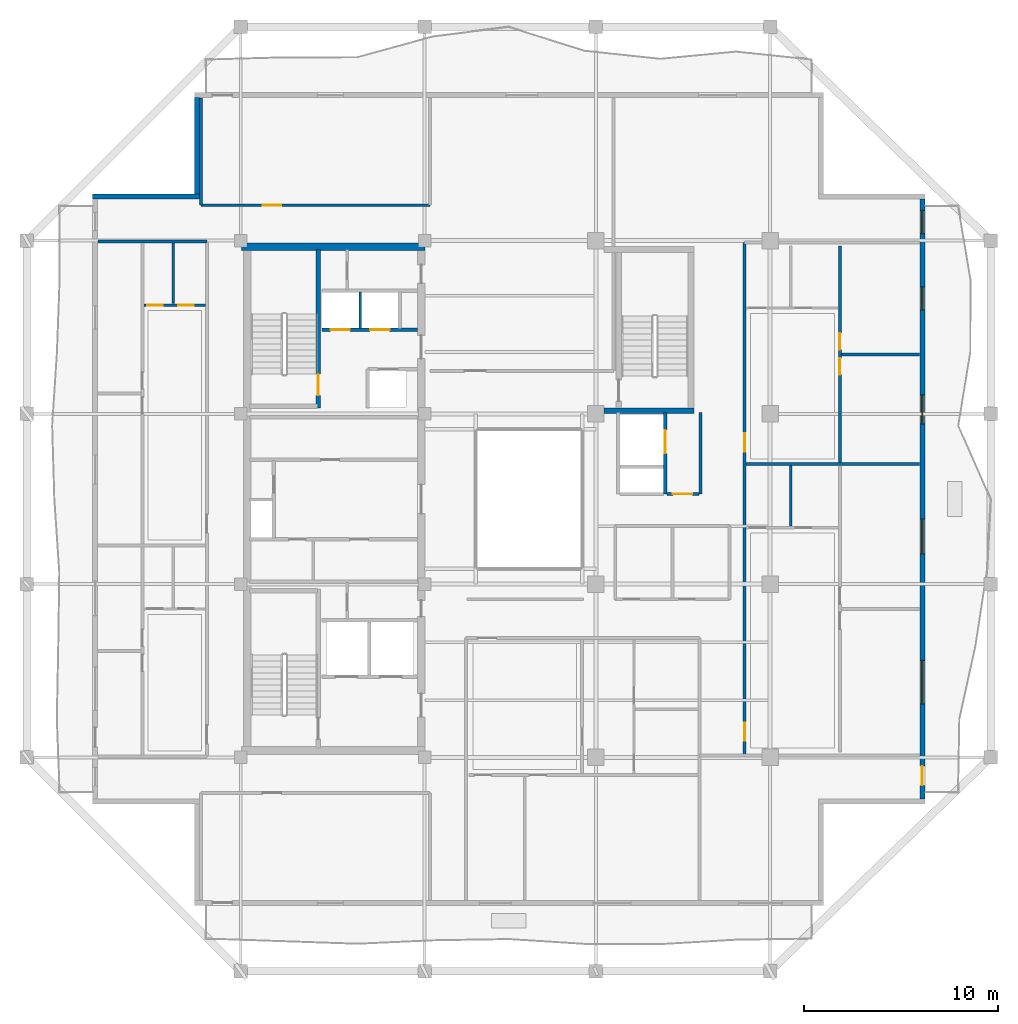
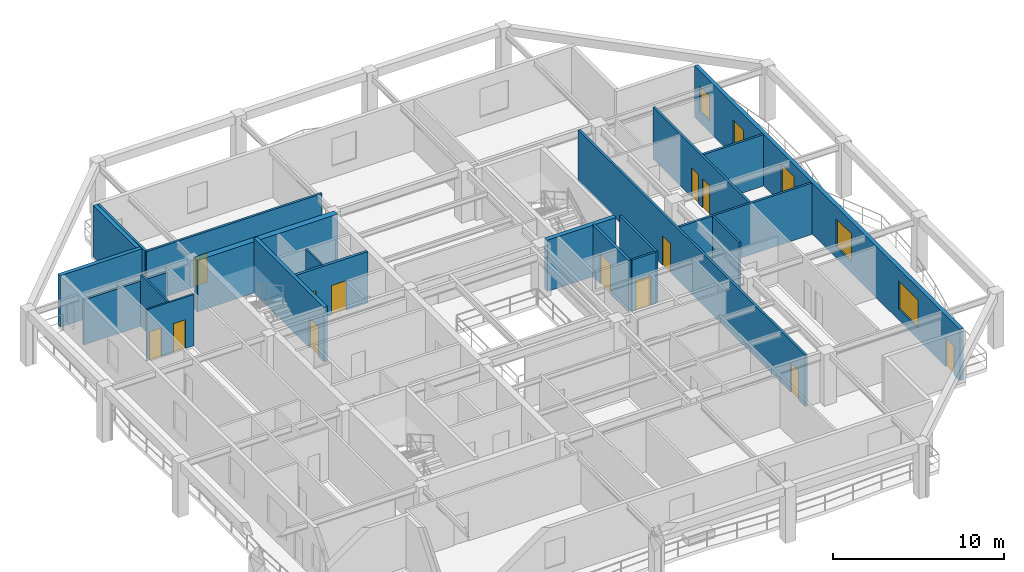
# One storey, part 5 of 12: 21 walls, 13 doors, 5 windows, 18 openings.
"""IFC4 building model written with IfcOpenShell, lengths in metres."""

from ifc_helpers import new_model, si_unit, direction, frame, frame_2d, origin, place, context, subcontext, project, spatial, rectangle, extrude, material, layer, layer_set, type_object, element, fill, save


model = new_model("IFC4")

# Units and contexts
model_context = context("Model", 3, precision=1e-05, world=origin(), true_north=direction((0.0, 1.0)))
body_context = subcontext(model_context, "Body", "Model", "MODEL_VIEW")
ifc_project = project(units=[si_unit("LENGTHUNIT", "METRE"), si_unit("AREAUNIT", "SQUARE_METRE"), si_unit("VOLUMEUNIT", "CUBIC_METRE"), si_unit("PLANEANGLEUNIT", "RADIAN"), si_unit("MASSUNIT", "GRAM", prefix="KILO")], contexts=[model_context])

# Site, building, storey
site_placement = place(None, origin())
site = spatial("IfcSite", under=ifc_project, at=site_placement, CompositionType="ELEMENT")
building_placement = place(site_placement, origin())
building = spatial("IfcBuilding", under=site, at=building_placement, Name="Kundavana Baori Tower", CompositionType="ELEMENT")
storey_placement = place(building_placement, frame((0.0, 0.0, 241.39990234375)))
storey = spatial("IfcBuildingStorey", under=building, at=storey_placement, Name="L59", CompositionType="ELEMENT", Elevation=241.39990234375)

# Wall
ifc_material_1 = material(Name="Concrete C50/60", Category="concrete")
ifc_layer_1 = layer(ifc_material_1, 0.39990234375, Name="WL-CORE-400")
ifc_layer_set_1 = layer_set([ifc_layer_1], Name="Concrete C50/60")
wall_type_1 = type_object("IfcWallType", Name="WL-CORE-400", PredefinedType="SHEAR", material=ifc_layer_set_1)
wall_1_placement = place(storey_placement, frame((15.5, 41.639892578125, 0.0), z_axis=(0.0, 0.0, 1.0), x_axis=(1.0, 0.0, 0.0)))
element("IfcWall", 1, at=wall_1_placement, inside=storey, type_object=wall_type_1, Name="L59 Offset Core North Shear Wall", PredefinedType="SHEAR", context=body_context, shape_type="SweptSolid", body=[
    extrude(rectangle(XDim=9.47998046875, YDim=0.39990234375, at=frame_2d((4.739990234375, 0.0))), origin(), (0.0, 0.0, 1.0), 3.66015625),
])

# Wall, opening, door
wall_2_placement = place(storey_placement, frame((19.4599609375, 33.300048828125, 0.0), z_axis=(0.0, 0.0, 1.0), x_axis=(0.0, 1.0, 0.0)))
wall_2 = element("IfcWall", 2, at=wall_2_placement, inside=storey, type_object=wall_type_1, Name="WL-L59-ST2-E", PredefinedType="SHEAR", context=body_context, shape_type="SweptSolid", body=[
    extrude(rectangle(XDim=8.179931640625, YDim=0.239990234375, at=frame_2d((4.08984375, 0.0))), origin(), (0.0, 0.0, 1.0), 3.900146484375),
])
opening_1_placement = place(wall_2_placement, frame((0.64990234375, 0.0, 0.0)))
opening_1 = element("IfcOpeningElement", 3, at=opening_1_placement, cuts=wall_2, Name="Opening FD-110", PredefinedType="OPENING", context=body_context, shape_type="SweptSolid", body=[
    extrude(rectangle(XDim=1.10009765625, YDim=2.10009765625, at=frame_2d((0.550048828125, 1.050048828125))), frame((0.0, 0.1298828125, 0.0), z_axis=(0.0, -1.0, 0.0), x_axis=(1.0, 0.0, 0.0)), (0.0, 0.0, 1.0), 0.260009765625),
])
ifc_material_2 = material(Name="Galvanised Steel Fire-Rated Door Leaf", Category="steel")
door_type_1 = type_object("IfcDoorType", Name="DR-FD120-1100", OperationType="NOTDEFINED", PredefinedType="DOOR", material=ifc_material_2)
door_1_placement = place(opening_1_placement, origin())
door_1 = element("IfcDoor", 4, at=door_1_placement, inside=storey, type_object=door_type_1, Name="DR-L59-ST2", OperationType="SINGLE_SWING_RIGHT", OverallHeight=2.10009765625, OverallWidth=1.10009765625, PredefinedType="DOOR", context=body_context, shape_type="SweptSolid", body=[
    extrude(rectangle(XDim=1.10009765625, YDim=2.10009765625, at=frame_2d((0.550048828125, 1.050048828125))), frame((0.0, 0.02490234375, 0.0), z_axis=(0.0, -1.0, 0.0), x_axis=(1.0, 0.0, 0.0)), (0.0, 0.0, 1.0), 0.050048828125),
])
fill(opening_1, door_1)

# Wall, openings, door, windows
ifc_material_3 = material(Name="Kiln-Fired Terracotta Brick-Slip Masonry on Concrete C40/50", Category="masonry")
ifc_layer_2 = layer(ifc_material_3, 0.260009765625, Name="WL-EXT-BRK-260")
ifc_layer_set_2 = layer_set([ifc_layer_2], Name="Kiln-Fired Terracotta Brick-Slip Masonry on Concrete C40/50")
wall_type_2 = type_object("IfcWallType", Name="WL-EXT-BRK-260", PredefinedType="SOLIDWALL", material=ifc_layer_set_2)
wall_3_placement = place(storey_placement, frame((50.669921875, 13.110107421875, 0.0), z_axis=(0.0, 0.0, 1.0), x_axis=(0.0, 1.0, 0.0)))
wall_3 = element("IfcWall", 5, at=wall_3_placement, inside=storey, type_object=wall_type_2, Name="L59 Exterior Insulated Facade Wall 04", PredefinedType="SOLIDWALL", context=body_context, shape_type="SweptSolid", body=[
    extrude(rectangle(XDim=30.97998046875, YDim=0.260009765625, at=frame_2d((15.489990234375, 0.0))), origin(), (0.0, 0.0, 1.0), 3.66015625),
])
opening_2_placement = place(wall_3_placement, frame((0.68994140625, 0.0, 0.0)))
opening_2 = element("IfcOpeningElement", 6, at=opening_2_placement, cuts=wall_3, Name="Opening BD-1", PredefinedType="OPENING", context=body_context, shape_type="SweptSolid", body=[
    extrude(rectangle(XDim=1.0, YDim=2.050048828125, at=frame_2d((0.5, 1.02490234375))), frame((0.0, 0.14013671875, 0.0), z_axis=(0.0, -1.0, 0.0), x_axis=(1.0, 0.0, 0.0)), (0.0, 0.0, 1.0), 0.280029296875),
])
opening_3_placement = place(wall_3_placement, frame((4.902099609375, 0.0, 0.800048828125)))
opening_3 = element("IfcOpeningElement", 7, at=opening_3_placement, cuts=wall_3, Name="Opening W-10", PredefinedType="OPENING", context=body_context, shape_type="SweptSolid", body=[
    extrude(rectangle(XDim=2.25, YDim=2.0, at=frame_2d((1.125, 1.0))), frame((0.0, 0.14013671875, 0.0), z_axis=(0.0, -1.0, 0.0), x_axis=(1.0, 0.0, 0.0)), (0.0, 0.0, 1.0), 0.280029296875),
])
opening_4_placement = place(wall_3_placement, frame((12.653076171875, 0.0, 0.800048828125)))
opening_4 = element("IfcOpeningElement", 8, at=opening_4_placement, cuts=wall_3, Name="Opening W-01", PredefinedType="OPENING", context=body_context, shape_type="SweptSolid", body=[
    extrude(rectangle(XDim=1.800048828125, YDim=2.0, at=frame_2d((0.89990234375, 1.0))), frame((0.0, 0.14013671875, 0.0), z_axis=(0.0, -1.0, 0.0), x_axis=(1.0, 0.0, 0.0)), (0.0, 0.0, 1.0), 0.280029296875),
])
opening_5_placement = place(wall_3_placement, frame((19.376953125, 0.0, 0.800048828125)))
opening_5 = element("IfcOpeningElement", 9, at=opening_5_placement, cuts=wall_3, Name="Opening W-02", PredefinedType="OPENING", context=body_context, shape_type="SweptSolid", body=[
    extrude(rectangle(XDim=1.5, YDim=2.0, at=frame_2d((0.75, 1.0))), frame((0.0, 0.14013671875, 0.0), z_axis=(0.0, -1.0, 0.0), x_axis=(1.0, 0.0, 0.0)), (0.0, 0.0, 1.0), 0.280029296875),
])
opening_6_placement = place(wall_3_placement, frame((25.251953125, 0.0, 0.800048828125)))
opening_6 = element("IfcOpeningElement", 10, at=opening_6_placement, cuts=wall_3, Name="Opening W-03", PredefinedType="OPENING", context=body_context, shape_type="SweptSolid", body=[
    extrude(rectangle(XDim=1.199951171875, YDim=1.75, at=frame_2d((0.60009765625, 0.875))), frame((0.0, 0.14013671875, 0.0), z_axis=(0.0, -1.0, 0.0), x_axis=(1.0, 0.0, 0.0)), (0.0, 0.0, 1.0), 0.280029296875),
])
opening_7_placement = place(wall_3_placement, frame((29.205078125, 0.0, 0.800048828125)))
opening_7 = element("IfcOpeningElement", 11, at=opening_7_placement, cuts=wall_3, Name="Opening W-03", PredefinedType="OPENING", context=body_context, shape_type="SweptSolid", body=[
    extrude(rectangle(XDim=1.199951171875, YDim=1.75, at=frame_2d((0.60009765625, 0.875))), frame((0.0, 0.14013671875, 0.0), z_axis=(0.0, -1.0, 0.0), x_axis=(1.0, 0.0, 0.0)), (0.0, 0.0, 1.0), 0.280029296875),
])
ifc_material_4 = material(Name="Architectural Patinated Bronze Metalwork")
door_type_2 = type_object("IfcDoorType", Name="DR-EXT-LOG-1000", OperationType="NOTDEFINED", PredefinedType="DOOR", material=ifc_material_4)
door_2_placement = place(opening_2_placement, frame((1.0, 0.0, 0.0), z_axis=(0.0, 0.0, 1.0), x_axis=(-1.0, 0.0, 0.0)))
door_2 = element("IfcDoor", 12, at=door_2_placement, inside=storey, type_object=door_type_2, Name="L59 Loggia Balcony Access Door E", OperationType="SINGLE_SWING_RIGHT", OverallHeight=2.050048828125, OverallWidth=1.0, PredefinedType="DOOR", context=body_context, shape_type="SweptSolid", body=[
    extrude(rectangle(XDim=1.0, YDim=2.050048828125, at=frame_2d((0.5, 1.02490234375))), frame((0.0, 0.02490234375, 0.0), z_axis=(0.0, -1.0, 0.0), x_axis=(1.0, 0.0, 0.0)), (0.0, 0.0, 1.0), 0.050048828125),
])
fill(opening_2, door_2)
ifc_material_5 = material(Name="Double-Glazed Solar-Control Low-E Insulated Glass", Category="glass")
window_type_1 = type_object("IfcWindowType", Name="WIN-LOG-1200x1750", PartitioningType="SINGLE_PANEL", PredefinedType="WINDOW", material=ifc_material_5)
window_1_placement = place(opening_6_placement, origin())
window_1 = element("IfcWindow", 13, at=window_1_placement, inside=storey, type_object=window_type_1, Name="L59 Recessed Loggia Window E-5", OverallHeight=1.75, OverallWidth=1.199951171875, PartitioningType="SINGLE_PANEL", PredefinedType="WINDOW", context=body_context, shape_type="SweptSolid", body=[
    extrude(rectangle(XDim=1.199951171875, YDim=1.75, at=frame_2d((0.60009765625, 0.875))), frame((0.0, 0.030029296875, 0.0), z_axis=(0.0, -1.0, 0.0), x_axis=(1.0, 0.0, 0.0)), (0.0, 0.0, 1.0), 0.06005859375),
])
fill(opening_6, window_1)
window_2_placement = place(opening_7_placement, origin())
window_2 = element("IfcWindow", 14, at=window_2_placement, inside=storey, type_object=window_type_1, Name="L59 Recessed Loggia Window E-6", OverallHeight=1.75, OverallWidth=1.199951171875, PartitioningType="SINGLE_PANEL", PredefinedType="WINDOW", context=body_context, shape_type="SweptSolid", body=[
    extrude(rectangle(XDim=1.199951171875, YDim=1.75, at=frame_2d((0.60009765625, 0.875))), frame((0.0, 0.030029296875, 0.0), z_axis=(0.0, -1.0, 0.0), x_axis=(1.0, 0.0, 0.0)), (0.0, 0.0, 1.0), 0.06005859375),
])
fill(opening_7, window_2)
ifc_material_6 = material(Name="Double-Glazed Solar-Control Low-E Insulated Glass", Category="glass")
window_type_2 = type_object("IfcWindowType", Name="WIN-LOG-1500x2000", PartitioningType="SINGLE_PANEL", PredefinedType="WINDOW", material=ifc_material_6)
window_3_placement = place(opening_5_placement, origin())
window_3 = element("IfcWindow", 15, at=window_3_placement, inside=storey, type_object=window_type_2, Name="L59 Recessed Loggia Window E-4", OverallHeight=2.0, OverallWidth=1.5, PartitioningType="SINGLE_PANEL", PredefinedType="WINDOW", context=body_context, shape_type="SweptSolid", body=[
    extrude(rectangle(XDim=1.5, YDim=2.0, at=frame_2d((0.75, 1.0))), frame((0.0, 0.030029296875, 0.0), z_axis=(0.0, -1.0, 0.0), x_axis=(1.0, 0.0, 0.0)), (0.0, 0.0, 1.0), 0.06005859375),
])
fill(opening_5, window_3)
ifc_material_7 = material(Name="Double-Glazed Solar-Control Low-E Insulated Glass", Category="glass")
window_type_3 = type_object("IfcWindowType", Name="WIN-LOG-1800x2000", PartitioningType="SINGLE_PANEL", PredefinedType="WINDOW", material=ifc_material_7)
window_4_placement = place(opening_4_placement, origin())
window_4 = element("IfcWindow", 16, at=window_4_placement, inside=storey, type_object=window_type_3, Name="L59 Recessed Loggia Window E-3", OverallHeight=2.0, OverallWidth=1.800048828125, PartitioningType="SINGLE_PANEL", PredefinedType="WINDOW", context=body_context, shape_type="SweptSolid", body=[
    extrude(rectangle(XDim=1.800048828125, YDim=2.0, at=frame_2d((0.89990234375, 1.0))), frame((0.0, 0.030029296875, 0.0), z_axis=(0.0, -1.0, 0.0), x_axis=(1.0, 0.0, 0.0)), (0.0, 0.0, 1.0), 0.06005859375),
])
fill(opening_4, window_4)
ifc_material_8 = material(Name="Double-Glazed Solar-Control Low-E Insulated Glass", Category="glass")
window_type_4 = type_object("IfcWindowType", Name="WIN-LOG-2250x2000", PartitioningType="SINGLE_PANEL", PredefinedType="WINDOW", material=ifc_material_8)
window_5_placement = place(opening_3_placement, origin())
window_5 = element("IfcWindow", 17, at=window_5_placement, inside=storey, type_object=window_type_4, Name="L59 Recessed Loggia Window E-2", OverallHeight=2.0, OverallWidth=2.25, PartitioningType="SINGLE_PANEL", PredefinedType="WINDOW", context=body_context, shape_type="SweptSolid", body=[
    extrude(rectangle(XDim=2.25, YDim=2.0, at=frame_2d((1.125, 1.0))), frame((0.0, 0.030029296875, 0.0), z_axis=(0.0, -1.0, 0.0), x_axis=(1.0, 0.0, 0.0)), (0.0, 0.0, 1.0), 0.06005859375),
])
fill(opening_3, window_5)

# Walls
wall_4_placement = place(storey_placement, frame((13.179931640625, 49.340087890625, 0.0), z_axis=(0.0, 0.0, 1.0), x_axis=(0.0, -1.0, 0.0)))
element("IfcWall", 18, at=wall_4_placement, inside=storey, type_object=wall_type_2, Name="L59 Exterior Insulated Facade Wall 08", PredefinedType="SOLIDWALL", context=body_context, shape_type="SweptSolid", body=[
    extrude(rectangle(XDim=4.989990234375, YDim=0.260009765625, at=frame_2d((2.4951171875, 0.0))), origin(), (0.0, 0.0, 1.0), 3.66015625),
])
wall_5_placement = place(storey_placement, frame((13.31005859375, 44.219970703125, 0.0), z_axis=(0.0, 0.0, 1.0), x_axis=(-1.0, 0.0, 0.0)))
element("IfcWall", 19, at=wall_5_placement, inside=storey, type_object=wall_type_2, Name="L59 Exterior Insulated Facade Wall 09", PredefinedType="SOLIDWALL", context=body_context, shape_type="SweptSolid", body=[
    extrude(rectangle(XDim=5.510009765625, YDim=0.260009765625, at=frame_2d((2.7548828125, 0.0))), origin(), (0.0, 0.0, 1.0), 3.66015625),
])
ifc_material_9 = material(Name="Acoustic Gypsum Plasterboard on Galvanised Steel Studs", Category="steel")
ifc_layer_3 = layer(ifc_material_9, 0.1201171875, Name="WL-PART-120")
ifc_layer_set_3 = layer_set([ifc_layer_3], Name="Acoustic Gypsum Plasterboard on Galvanised Steel Studs")
wall_type_3 = type_object("IfcWallType", Name="WL-PART-120", PredefinedType="PARTITIONING", material=ifc_layer_set_3)
wall_6_placement = place(storey_placement, frame((21.6201171875, 37.39990234375, 0.0), z_axis=(0.0, 0.0, 1.0), x_axis=(0.0, 1.0, 0.0)))
element("IfcWall", 20, at=wall_6_placement, inside=storey, type_object=wall_type_3, Name="WL-L59-HR-DIV1", PredefinedType="PARTITIONING", context=body_context, shape_type="SweptSolid", body=[
    extrude(rectangle(XDim=1.900146484375, YDim=0.1201171875, at=frame_2d((0.9501953125, 0.0))), origin(), (0.0, 0.0, 1.0), 3.66015625),
])
ifc_material_10 = material(Name="Fire-Rated Gypsum Drywall on Galvanised Steel Studs", Category="steel")
ifc_layer_4 = layer(ifc_material_10, 0.14990234375, Name="WL-PART-150")
ifc_layer_set_4 = layer_set([ifc_layer_4], Name="Fire-Rated Gypsum Drywall on Galvanised Steel Studs")
wall_type_4 = type_object("IfcWallType", Name="WL-PART-150", PredefinedType="PARTITIONING", material=ifc_layer_set_4)
wall_7_placement = place(storey_placement, frame((39.199951171875, 28.860107421875, 0.0), z_axis=(0.0, 0.0, 1.0), x_axis=(0.0, 1.0, 0.0)))
element("IfcWall", 21, at=wall_7_placement, inside=storey, type_object=wall_type_4, Name="WL-L59-SVLOB-E", PredefinedType="PARTITIONING", context=body_context, shape_type="SweptSolid", body=[
    extrude(rectangle(XDim=4.219970703125, YDim=0.14990234375, at=frame_2d((2.10986328125, 0.0))), origin(), (0.0, 0.0, 1.0), 3.66015625),
])

# Wall, opening, door
wall_8_placement = place(storey_placement, frame((37.47998046875, 28.860107421875, 0.0), z_axis=(0.0, 0.0, 1.0), x_axis=(1.0, 0.0, 0.0)))
wall_8 = element("IfcWall", 22, at=wall_8_placement, inside=storey, type_object=wall_type_4, Name="WL-L59-SVLOB-S", PredefinedType="PARTITIONING", context=body_context, shape_type="SweptSolid", body=[
    extrude(rectangle(XDim=1.64013671875, YDim=0.14990234375, at=frame_2d((0.820068359375, 0.0))), origin(), (0.0, 0.0, 1.0), 3.66015625),
])
opening_8_placement = place(wall_8_placement, frame((0.300048828125, 0.0, 0.0)))
opening_8 = element("IfcOpeningElement", 23, at=opening_8_placement, cuts=wall_8, Name="Opening FD-100", PredefinedType="OPENING", context=body_context, shape_type="SweptSolid", body=[
    extrude(rectangle(XDim=1.0, YDim=2.10009765625, at=frame_2d((0.5, 1.050048828125))), frame((0.0, 0.0849609375, 0.0), z_axis=(0.0, -1.0, 0.0), x_axis=(1.0, 0.0, 0.0)), (0.0, 0.0, 1.0), 0.169921875),
])
ifc_material_11 = material(Name="Engineered Teak Fire-Rated Timber Door Leaf", Category="wood")
door_type_3 = type_object("IfcDoorType", Name="DR-FD60-1000", OperationType="NOTDEFINED", PredefinedType="DOOR", material=ifc_material_11)
door_3_placement = place(opening_8_placement, origin())
door_3 = element("IfcDoor", 24, at=door_3_placement, inside=storey, type_object=door_type_3, Name="DR-L59-SVLOB-OUT", OperationType="SINGLE_SWING_LEFT", OverallHeight=2.10009765625, OverallWidth=1.0, PredefinedType="DOOR", context=body_context, shape_type="SweptSolid", body=[
    extrude(rectangle(XDim=1.0, YDim=2.10009765625, at=frame_2d((0.5, 1.050048828125))), frame((0.0, 0.02490234375, 0.0), z_axis=(0.0, -1.0, 0.0), x_axis=(1.0, 0.0, 0.0)), (0.0, 0.0, 1.0), 0.050048828125),
])
fill(opening_8, door_3)

wall_9_placement = place(storey_placement, frame((13.39990234375, 43.780029296875, 0.0), z_axis=(0.0, 0.0, 1.0), x_axis=(1.0, 0.0, 0.0)))
wall_9 = element("IfcWall", 25, at=wall_9_placement, inside=storey, type_object=wall_type_4, Name="WL-L59-RNC", PredefinedType="PARTITIONING", context=body_context, shape_type="SweptSolid", body=[
    extrude(rectangle(XDim=11.820068359375, YDim=0.14990234375, at=frame_2d((5.91015625, 0.0))), origin(), (0.0, 0.0, 1.0), 3.66015625),
])
opening_9_placement = place(wall_9_placement, frame((3.199951171875, 0.0, 0.0)))
opening_9 = element("IfcOpeningElement", 26, at=opening_9_placement, cuts=wall_9, Name="Opening ID-095", PredefinedType="OPENING", context=body_context, shape_type="SweptSolid", body=[
    extrude(rectangle(XDim=0.949951171875, YDim=2.080078125, at=frame_2d((0.47509765625, 1.0400390625))), frame((0.0, 0.0849609375, 0.0), z_axis=(0.0, -1.0, 0.0), x_axis=(1.0, 0.0, 0.0)), (0.0, 0.0, 1.0), 0.169921875),
])
ifc_material_12 = material(Name="Engineered Teak Solid-Core Timber Veneer", Category="wood")
door_type_4 = type_object("IfcDoorType", Name="DR-INT-950", OperationType="NOTDEFINED", PredefinedType="DOOR", material=ifc_material_12)
door_4_placement = place(opening_9_placement, origin())
door_4 = element("IfcDoor", 27, at=door_4_placement, inside=storey, type_object=door_type_4, Name="DR-L59-RMNW", OperationType="SINGLE_SWING_RIGHT", OverallHeight=2.080078125, OverallWidth=0.949951171875, PredefinedType="DOOR", context=body_context, shape_type="SweptSolid", body=[
    extrude(rectangle(XDim=0.949951171875, YDim=2.080078125, at=frame_2d((0.47509765625, 1.0400390625))), frame((0.0, 0.02490234375, 0.0), z_axis=(0.0, -1.0, 0.0), x_axis=(1.0, 0.0, 0.0)), (0.0, 0.0, 1.0), 0.050048828125),
])
fill(opening_9, door_4)

# Walls
wall_10_placement = place(storey_placement, frame((13.39990234375, 43.780029296875, 0.0), z_axis=(0.0, 0.0, 1.0), x_axis=(0.0, 1.0, 0.0)))
element("IfcWall", 28, at=wall_10_placement, inside=storey, type_object=wall_type_4, Name="WL-L59-RNCW", PredefinedType="PARTITIONING", context=body_context, shape_type="SweptSolid", body=[
    extrude(rectangle(XDim=5.5400390625, YDim=0.14990234375, at=frame_2d((2.77001953125, 0.0))), origin(), (0.0, 0.0, 1.0), 3.66015625),
])
wall_11_placement = place(storey_placement, frame((8.080078125, 41.89990234375, 0.0), z_axis=(0.0, 0.0, 1.0), x_axis=(1.0, 0.0, 0.0)))
element("IfcWall", 29, at=wall_11_placement, inside=storey, type_object=wall_type_4, Name="WL-L59-RWN", PredefinedType="PARTITIONING", context=body_context, shape_type="SweptSolid", body=[
    extrude(rectangle(XDim=5.619873046875, YDim=0.14990234375, at=frame_2d((2.81005859375, 0.0))), origin(), (0.0, 0.0, 1.0), 3.210205078125),
])

# Wall, openings, doors
wall_12_placement = place(storey_placement, frame((41.47998046875, 15.35009765625, 0.0), z_axis=(0.0, 0.0, 1.0), x_axis=(0.0, 1.0, 0.0)))
wall_12 = element("IfcWall", 30, at=wall_12_placement, inside=storey, type_object=wall_type_4, Name="WL-L59-RE", PredefinedType="PARTITIONING", context=body_context, shape_type="SweptSolid", body=[
    extrude(rectangle(XDim=26.5, YDim=0.14990234375, at=frame_2d((13.25, 0.0))), origin(), (0.0, 0.0, 1.0), 3.66015625),
])
opening_10_placement = place(wall_12_placement, frame((0.75, 0.0, 0.0)))
opening_10 = element("IfcOpeningElement", 31, at=opening_10_placement, cuts=wall_12, Name="Opening FD-095", PredefinedType="OPENING", context=body_context, shape_type="SweptSolid", body=[
    extrude(rectangle(XDim=0.949951171875, YDim=2.10009765625, at=frame_2d((0.47509765625, 1.050048828125))), frame((0.0, 0.0849609375, 0.0), z_axis=(0.0, -1.0, 0.0), x_axis=(1.0, 0.0, 0.0)), (0.0, 0.0, 1.0), 0.169921875),
])
opening_11_placement = place(wall_12_placement, frame((15.699951171875, 0.0, 0.0)))
opening_11 = element("IfcOpeningElement", 32, at=opening_11_placement, cuts=wall_12, Name="Opening FD-095", PredefinedType="OPENING", context=body_context, shape_type="SweptSolid", body=[
    extrude(rectangle(XDim=0.949951171875, YDim=2.10009765625, at=frame_2d((0.47509765625, 1.050048828125))), frame((0.0, 0.0849609375, 0.0), z_axis=(0.0, -1.0, 0.0), x_axis=(1.0, 0.0, 0.0)), (0.0, 0.0, 1.0), 0.169921875),
])
ifc_material_13 = material(Name="Engineered Teak Fire-Rated Timber Door Leaf", Category="wood")
door_type_5 = type_object("IfcDoorType", Name="DR-FD60-950", OperationType="NOTDEFINED", PredefinedType="DOOR", material=ifc_material_13)
door_5_placement = place(opening_10_placement, origin())
door_5 = element("IfcDoor", 33, at=door_5_placement, inside=storey, type_object=door_type_5, Name="DR-L59-E1-ENT", OperationType="SINGLE_SWING_LEFT", OverallHeight=2.10009765625, OverallWidth=0.949951171875, PredefinedType="DOOR", context=body_context, shape_type="SweptSolid", body=[
    extrude(rectangle(XDim=0.949951171875, YDim=2.10009765625, at=frame_2d((0.47509765625, 1.050048828125))), frame((0.0, 0.02490234375, 0.0), z_axis=(0.0, -1.0, 0.0), x_axis=(1.0, 0.0, 0.0)), (0.0, 0.0, 1.0), 0.050048828125),
])
fill(opening_10, door_5)
door_6_placement = place(opening_11_placement, origin())
door_6 = element("IfcDoor", 34, at=door_6_placement, inside=storey, type_object=door_type_5, Name="DR-L59-E2-ENT", OperationType="SINGLE_SWING_LEFT", OverallHeight=2.10009765625, OverallWidth=0.949951171875, PredefinedType="DOOR", context=body_context, shape_type="SweptSolid", body=[
    extrude(rectangle(XDim=0.949951171875, YDim=2.10009765625, at=frame_2d((0.47509765625, 1.050048828125))), frame((0.0, 0.02490234375, 0.0), z_axis=(0.0, -1.0, 0.0), x_axis=(1.0, 0.0, 0.0)), (0.0, 0.0, 1.0), 0.050048828125),
])
fill(opening_11, door_6)

# Wall
wall_13_placement = place(storey_placement, frame((41.56005859375, 30.39990234375, 0.0), z_axis=(0.0, 0.0, 1.0), x_axis=(1.0, 0.0, 0.0)))
element("IfcWall", 35, at=wall_13_placement, inside=storey, type_object=wall_type_4, Name="WL-L59-RED1", PredefinedType="PARTITIONING", context=body_context, shape_type="SweptSolid", body=[
    extrude(rectangle(XDim=8.9599609375, YDim=0.14990234375, at=frame_2d((4.47998046875, 0.0))), origin(), (0.0, 0.0, 1.0), 3.66015625),
])

# Wall, openings, doors
wall_14_placement = place(storey_placement, frame((46.407958984375, 30.47998046875, 0.0), z_axis=(0.0, 0.0, 1.0), x_axis=(0.0, 1.0, 0.0)))
wall_14 = element("IfcWall", 36, at=wall_14_placement, inside=storey, type_object=wall_type_4, Name="WL-L59-E2-VT", PredefinedType="PARTITIONING", context=body_context, shape_type="SweptSolid", body=[
    extrude(rectangle(XDim=11.18994140625, YDim=0.14990234375, at=frame_2d((5.594970703125, 0.0))), origin(), (0.0, 0.0, 1.0), 3.66015625),
])
opening_12_placement = place(wall_14_placement, frame((4.544921875, 0.0, 0.0)))
opening_12 = element("IfcOpeningElement", 37, at=opening_12_placement, cuts=wall_14, Name="Opening ID-085", PredefinedType="OPENING", context=body_context, shape_type="SweptSolid", body=[
    extrude(rectangle(XDim=0.85009765625, YDim=2.080078125, at=frame_2d((0.425048828125, 1.0400390625))), frame((0.0, 0.0849609375, 0.0), z_axis=(0.0, -1.0, 0.0), x_axis=(1.0, 0.0, 0.0)), (0.0, 0.0, 1.0), 0.169921875),
])
opening_13_placement = place(wall_14_placement, frame((5.844970703125, 0.0, 0.0)))
opening_13 = element("IfcOpeningElement", 38, at=opening_13_placement, cuts=wall_14, Name="Opening ID-085", PredefinedType="OPENING", context=body_context, shape_type="SweptSolid", body=[
    extrude(rectangle(XDim=0.85009765625, YDim=2.080078125, at=frame_2d((0.425048828125, 1.0400390625))), frame((0.0, 0.0849609375, 0.0), z_axis=(0.0, -1.0, 0.0), x_axis=(1.0, 0.0, 0.0)), (0.0, 0.0, 1.0), 0.169921875),
])
ifc_material_14 = material(Name="Engineered Teak Solid-Core Timber Veneer", Category="wood")
door_type_6 = type_object("IfcDoorType", Name="DR-INT-850", OperationType="NOTDEFINED", PredefinedType="DOOR", material=ifc_material_14)
door_7_placement = place(opening_12_placement, origin())
door_7 = element("IfcDoor", 39, at=door_7_placement, inside=storey, type_object=door_type_6, Name="DR-L59-E2-B1", OperationType="SINGLE_SWING_LEFT", OverallHeight=2.080078125, OverallWidth=0.85009765625, PredefinedType="DOOR", context=body_context, shape_type="SweptSolid", body=[
    extrude(rectangle(XDim=0.85009765625, YDim=2.080078125, at=frame_2d((0.425048828125, 1.0400390625))), frame((0.0, 0.02490234375, 0.0), z_axis=(0.0, -1.0, 0.0), x_axis=(1.0, 0.0, 0.0)), (0.0, 0.0, 1.0), 0.050048828125),
])
fill(opening_12, door_7)
door_8_placement = place(opening_13_placement, origin())
door_8 = element("IfcDoor", 40, at=door_8_placement, inside=storey, type_object=door_type_6, Name="DR-L59-E2-B2", OperationType="SINGLE_SWING_RIGHT", OverallHeight=2.080078125, OverallWidth=0.85009765625, PredefinedType="DOOR", context=body_context, shape_type="SweptSolid", body=[
    extrude(rectangle(XDim=0.85009765625, YDim=2.080078125, at=frame_2d((0.425048828125, 1.0400390625))), frame((0.0, 0.02490234375, 0.0), z_axis=(0.0, -1.0, 0.0), x_axis=(1.0, 0.0, 0.0)), (0.0, 0.0, 1.0), 0.050048828125),
])
fill(opening_13, door_8)

# Wall
wall_15_placement = place(storey_placement, frame((46.488037109375, 36.074951171875, 0.0), z_axis=(0.0, 0.0, 1.0), x_axis=(1.0, 0.0, 0.0)))
element("IfcWall", 41, at=wall_15_placement, inside=storey, type_object=wall_type_4, Name="WL-L59-E2-BDH", PredefinedType="PARTITIONING", context=body_context, shape_type="SweptSolid", body=[
    extrude(rectangle(XDim=4.031982421875, YDim=0.14990234375, at=frame_2d((2.01611328125, 0.0))), origin(), (0.0, 0.0, 1.0), 3.66015625),
])

# Wall, openings, doors
ifc_material_15 = material(Name="Autoclaved Aerated Concrete Blockwork Masonry", Category="masonry")
ifc_layer_5 = layer(ifc_material_15, 0.179931640625, Name="WL-SHAFT-180")
ifc_layer_set_5 = layer_set([ifc_layer_5], Name="Autoclaved Aerated Concrete Blockwork Masonry")
wall_type_5 = type_object("IfcWallType", Name="WL-SHAFT-180", PredefinedType="SOLIDWALL", material=ifc_layer_set_5)
wall_16_placement = place(storey_placement, frame((19.639892578125, 37.340087890625, 0.0), z_axis=(0.0, 0.0, 1.0), x_axis=(1.0, 0.0, 0.0)))
wall_16 = element("IfcWall", 42, at=wall_16_placement, inside=storey, type_object=wall_type_5, Name="WL-L59-HRLOB-N", PredefinedType="SOLIDWALL", context=body_context, shape_type="SweptSolid", body=[
    extrude(rectangle(XDim=4.940185546875, YDim=0.179931640625, at=frame_2d((2.47021484375, 0.0))), origin(), (0.0, 0.0, 1.0), 3.66015625),
])
opening_14_placement = place(wall_16_placement, frame((0.449951171875, 0.0, 0.0)))
opening_14 = element("IfcOpeningElement", 43, at=opening_14_placement, cuts=wall_16, Name="Opening LD-100", PredefinedType="OPENING", context=body_context, shape_type="SweptSolid", body=[
    extrude(rectangle(XDim=1.0, YDim=2.10009765625, at=frame_2d((0.5, 1.050048828125))), frame((0.0, 0.10009765625, 0.0), z_axis=(0.0, -1.0, 0.0), x_axis=(1.0, 0.0, 0.0)), (0.0, 0.0, 1.0), 0.199951171875),
])
opening_15_placement = place(wall_16_placement, frame((2.5, 0.0, 0.0)))
opening_15 = element("IfcOpeningElement", 44, at=opening_15_placement, cuts=wall_16, Name="Opening LD-100", PredefinedType="OPENING", context=body_context, shape_type="SweptSolid", body=[
    extrude(rectangle(XDim=1.0, YDim=2.10009765625, at=frame_2d((0.5, 1.050048828125))), frame((0.0, 0.10009765625, 0.0), z_axis=(0.0, -1.0, 0.0), x_axis=(1.0, 0.0, 0.0)), (0.0, 0.0, 1.0), 0.199951171875),
])
ifc_material_16 = material(Name="Galvanised Steel Fire-Rated Door Leaf", Category="steel")
door_type_7 = type_object("IfcDoorType", Name="DR-SLIDE-LD1000", OperationType="NOTDEFINED", PredefinedType="DOOR", material=ifc_material_16)
door_9_placement = place(opening_14_placement, frame((1.0, 0.0, 0.0), z_axis=(0.0, 0.0, 1.0), x_axis=(-1.0, 0.0, 0.0)))
door_9 = element("IfcDoor", 45, at=door_9_placement, inside=storey, type_object=door_type_7, Name="DR-L59-LD-LP09", OperationType="DOUBLE_DOOR_SLIDING", OverallHeight=2.10009765625, OverallWidth=1.0, PredefinedType="DOOR", context=body_context, shape_type="SweptSolid", body=[
    extrude(rectangle(XDim=1.0, YDim=2.10009765625, at=frame_2d((0.5, 1.050048828125))), frame((0.0, 0.02490234375, 0.0), z_axis=(0.0, -1.0, 0.0), x_axis=(1.0, 0.0, 0.0)), (0.0, 0.0, 1.0), 0.050048828125),
])
fill(opening_14, door_9)
door_10_placement = place(opening_15_placement, frame((1.0, 0.0, 0.0), z_axis=(0.0, 0.0, 1.0), x_axis=(-1.0, 0.0, 0.0)))
door_10 = element("IfcDoor", 46, at=door_10_placement, inside=storey, type_object=door_type_7, Name="DR-L59-LD-LP10", OperationType="DOUBLE_DOOR_SLIDING", OverallHeight=2.10009765625, OverallWidth=1.0, PredefinedType="DOOR", context=body_context, shape_type="SweptSolid", body=[
    extrude(rectangle(XDim=1.0, YDim=2.10009765625, at=frame_2d((0.5, 1.050048828125))), frame((0.0, 0.02490234375, 0.0), z_axis=(0.0, -1.0, 0.0), x_axis=(1.0, 0.0, 0.0)), (0.0, 0.0, 1.0), 0.050048828125),
])
fill(opening_15, door_10)

# Wall, opening, door
wall_17_placement = place(storey_placement, frame((37.389892578125, 28.860107421875, 0.0), z_axis=(0.0, 0.0, 1.0), x_axis=(0.0, 1.0, 0.0)))
wall_17 = element("IfcWall", 47, at=wall_17_placement, inside=storey, type_object=wall_type_5, Name="WL-L59-SVL-E", PredefinedType="SOLIDWALL", context=body_context, shape_type="SweptSolid", body=[
    extrude(rectangle(XDim=4.219970703125, YDim=0.179931640625, at=frame_2d((2.10986328125, 0.0))), origin(), (0.0, 0.0, 1.0), 3.66015625),
])
opening_16_placement = place(wall_17_placement, frame((2.10009765625, 0.0, 0.0)))
opening_16 = element("IfcOpeningElement", 48, at=opening_16_placement, cuts=wall_17, Name="Opening LD-120", PredefinedType="OPENING", context=body_context, shape_type="SweptSolid", body=[
    extrude(rectangle(XDim=1.199951171875, YDim=2.1201171875, at=frame_2d((0.60009765625, 1.06005859375))), frame((0.0, 0.10009765625, 0.0), z_axis=(0.0, -1.0, 0.0), x_axis=(1.0, 0.0, 0.0)), (0.0, 0.0, 1.0), 0.199951171875),
])
ifc_material_17 = material(Name="Galvanised Steel Fire-Rated Door Leaf", Category="steel")
door_type_8 = type_object("IfcDoorType", Name="DR-SLIDE-LD1200", OperationType="NOTDEFINED", PredefinedType="DOOR", material=ifc_material_17)
door_11_placement = place(opening_16_placement, frame((1.199951171875, 0.0, 0.0), z_axis=(0.0, 0.0, 1.0), x_axis=(-1.0, 0.0, 0.0)))
door_11 = element("IfcDoor", 49, at=door_11_placement, inside=storey, type_object=door_type_8, Name="DR-L59-LD-SVL1", OperationType="DOUBLE_DOOR_SLIDING", OverallHeight=2.1201171875, OverallWidth=1.199951171875, PredefinedType="DOOR", context=body_context, shape_type="SweptSolid", body=[
    extrude(rectangle(XDim=1.199951171875, YDim=2.1201171875, at=frame_2d((0.60009765625, 1.06005859375))), frame((0.0, 0.02490234375, 0.0), z_axis=(0.0, -1.0, 0.0), x_axis=(1.0, 0.0, 0.0)), (0.0, 0.0, 1.0), 0.050048828125),
])
fill(opening_16, door_11)

# Wall
ifc_material_18 = material(Name="Concrete C50/60", Category="concrete")
ifc_layer_6 = layer(ifc_material_18, 0.300048828125, Name="WL-ST3-300")
ifc_layer_set_6 = layer_set([ifc_layer_6], Name="Concrete C50/60")
wall_type_6 = type_object("IfcWallType", Name="WL-ST3-300", PredefinedType="SHEAR", material=ifc_layer_set_6)
wall_18_placement = place(storey_placement, frame((34.22509765625, 33.159912109375, 0.0), z_axis=(0.0, 0.0, 1.0), x_axis=(1.0, 0.0, 0.0)))
element("IfcWall", 50, at=wall_18_placement, inside=storey, type_object=wall_type_6, Name="L59 Stair ST3 South Shear Wall", PredefinedType="SHEAR", context=body_context, shape_type="SweptSolid", body=[
    extrude(rectangle(XDim=4.64501953125, YDim=0.300048828125, at=frame_2d((2.322509765625, 0.0))), origin(), (0.0, 0.0, 1.0), 3.66015625),
])

# Wall, openings, doors
ifc_material_19 = material(Name="Autoclaved Aerated Concrete Blockwork Masonry", Category="masonry")
ifc_layer_7 = layer(ifc_material_19, 0.125, Name="WL-WET-120")
ifc_layer_set_7 = layer_set([ifc_layer_7], Name="Autoclaved Aerated Concrete Blockwork Masonry")
wall_type_7 = type_object("IfcWallType", Name="WL-WET-120", PredefinedType="PLUMBINGWALL", material=ifc_layer_set_7)
wall_19_placement = place(storey_placement, frame((10.449951171875, 38.6201171875, 0.0), z_axis=(0.0, 0.0, 1.0), x_axis=(1.0, 0.0, 0.0)))
wall_19 = element("IfcWall", 51, at=wall_19_placement, inside=storey, type_object=wall_type_7, Name="WL-L59-W2-KH", PredefinedType="PLUMBINGWALL", context=body_context, shape_type="SweptSolid", body=[
    extrude(rectangle(XDim=3.170166015625, YDim=0.125, at=frame_2d((1.5849609375, 0.0))), origin(), (0.0, 0.0, 1.0), 3.66015625),
])
opening_17_placement = place(wall_19_placement, frame((0.159912109375, 0.0, 0.0)))
opening_17 = element("IfcOpeningElement", 52, at=opening_17_placement, cuts=wall_19, Name="Opening WD-080", PredefinedType="OPENING", context=body_context, shape_type="SweptSolid", body=[
    extrude(rectangle(XDim=0.800048828125, YDim=2.050048828125, at=frame_2d((0.39990234375, 1.02490234375))), frame((0.0, 0.072509765625, 0.0), z_axis=(0.0, -1.0, 0.0), x_axis=(1.0, 0.0, 0.0)), (0.0, 0.0, 1.0), 0.14501953125),
])
opening_18_placement = place(wall_19_placement, frame((1.781982421875, 0.0, 0.0)))
opening_18 = element("IfcOpeningElement", 53, at=opening_18_placement, cuts=wall_19, Name="Opening WD-080", PredefinedType="OPENING", context=body_context, shape_type="SweptSolid", body=[
    extrude(rectangle(XDim=0.800048828125, YDim=2.050048828125, at=frame_2d((0.39990234375, 1.02490234375))), frame((0.0, 0.072509765625, 0.0), z_axis=(0.0, -1.0, 0.0), x_axis=(1.0, 0.0, 0.0)), (0.0, 0.0, 1.0), 0.14501953125),
])
ifc_material_20 = material(Name="Engineered Teak Solid-Core Timber Veneer", Category="wood")
door_type_9 = type_object("IfcDoorType", Name="DR-WET-800", OperationType="NOTDEFINED", PredefinedType="DOOR", material=ifc_material_20)
door_12_placement = place(opening_17_placement, origin())
door_12 = element("IfcDoor", 54, at=door_12_placement, inside=storey, type_object=door_type_9, Name="DR-L59-W2-BT", OperationType="SINGLE_SWING_LEFT", OverallHeight=2.050048828125, OverallWidth=0.800048828125, PredefinedType="DOOR", context=body_context, shape_type="SweptSolid", body=[
    extrude(rectangle(XDim=0.800048828125, YDim=2.050048828125, at=frame_2d((0.39990234375, 1.02490234375))), frame((0.0, 0.02490234375, 0.0), z_axis=(0.0, -1.0, 0.0), x_axis=(1.0, 0.0, 0.0)), (0.0, 0.0, 1.0), 0.050048828125),
])
fill(opening_17, door_12)
door_13_placement = place(opening_18_placement, origin())
door_13 = element("IfcDoor", 55, at=door_13_placement, inside=storey, type_object=door_type_9, Name="DR-L59-W2-KT", OperationType="SINGLE_SWING_RIGHT", OverallHeight=2.050048828125, OverallWidth=0.800048828125, PredefinedType="DOOR", context=body_context, shape_type="SweptSolid", body=[
    extrude(rectangle(XDim=0.800048828125, YDim=2.050048828125, at=frame_2d((0.39990234375, 1.02490234375))), frame((0.0, 0.02490234375, 0.0), z_axis=(0.0, -1.0, 0.0), x_axis=(1.0, 0.0, 0.0)), (0.0, 0.0, 1.0), 0.050048828125),
])
fill(opening_18, door_13)

# Walls
for number, where, z_axis, x_axis, name in (
    (56, (11.971923828125, 38.699951171875, 0.0), (0.0, 0.0, 1.0), (0.0, 1.0, 0.0), "WL-L59-W2-BV"),
    (57, (43.85888671875, 27.199951171875, 0.0), (0.0, 0.0, 1.0), (0.0, 1.0, 0.0), "WL-L59-E1-BV"),
):
    element("IfcWall", number, at=place(storey_placement, frame(where, z_axis=z_axis, x_axis=x_axis)), inside=storey, type_object=wall_type_7, Name=name, PredefinedType="PLUMBINGWALL", context=body_context, shape_type="SweptSolid", body=[
        extrude(rectangle(XDim=3.1201171875, YDim=0.125, at=frame_2d((1.56005859375, 0.0))), origin(), (0.0, 0.0, 1.0), 3.66015625),
    ])

save(model, "model.ifc")
